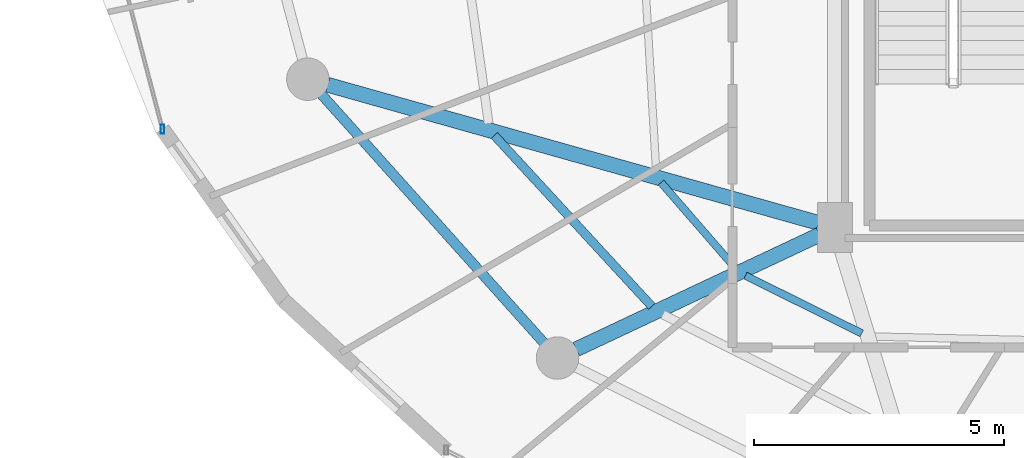
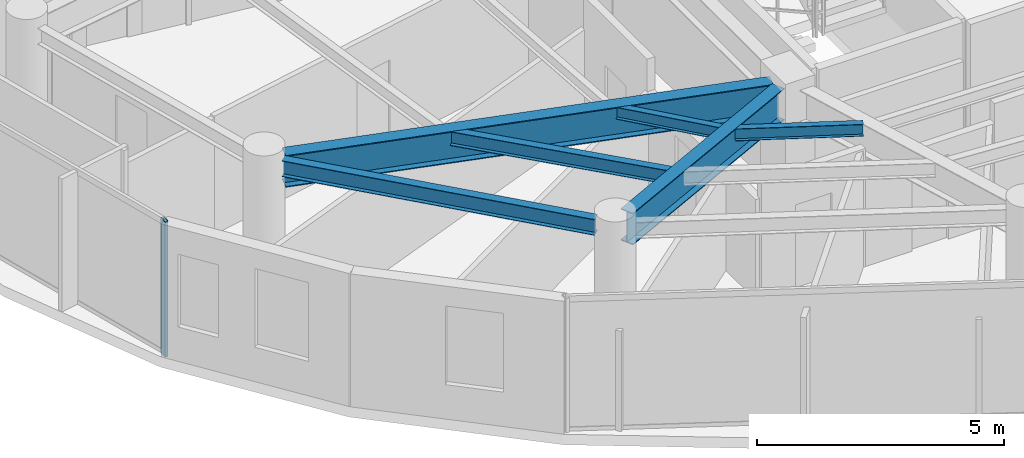
# One storey, part 3 of 30: 6 beams, 1 member, 1 element without a shape of its own.
"""IFC4 building model written with IfcOpenShell, lengths in metres."""

import ifcopenshell
import ifcopenshell.guid

model = None  # the IFC model being written
_history = None  # IfcOwnerHistory: only IFC2X3 demands one
_inside = {}  # id of a spatial element -> (the spatial element, [elements in it])
_under = {}  # id of a project, library or spatial element -> (it, [spatial elements below it])
_declared = {}  # id of a project -> (the project, [libraries it declares])
_typed = {}  # id of a type object -> (the type object, [elements of that type])
_made_of = {}  # id of a material, layer set ... -> (it, [elements and type objects made of it])


def new_model(schema):
    """Start an empty IFC model of exactly this schema.

    Asked for "IFC4X3", IfcOpenShell would pick the latest addendum, in which some entities
    have other attributes; the version numbers below select the first issue.
    IFC2X3 requires an IfcOwnerHistory on every rooted entity: one is made here for all.
    """
    global model, _history
    if schema == "IFC4X3":
        model = ifcopenshell.file(schema_version=(4, 3, 0, 0))
    else:
        model = ifcopenshell.file(schema=schema)
    _inside.clear()
    _under.clear()
    _declared.clear()
    _typed.clear()
    _made_of.clear()
    _history = None
    if model.schema == "IFC2X3":
        org = make("IfcOrganization", Name="unknown")
        user = make(
            "IfcPersonAndOrganization",
            ThePerson=make("IfcPerson", FamilyName="unknown"),
            TheOrganization=org,
        )
        app = make(
            "IfcApplication",
            ApplicationDeveloper=org,
            Version="unknown",
            ApplicationFullName="unknown",
            ApplicationIdentifier="unknown",
        )
        _history = make(
            "IfcOwnerHistory",
            OwningUser=user,
            OwningApplication=app,
            ChangeAction="ADDED",
            CreationDate=0,
        )
    return model


def make(cls, **values):
    """One entity of the class cls with the attributes given. An attribute that is None is left unset."""
    return model.create_entity(
        cls, **{name: value for name, value in values.items() if value is not None}
    )


def rooted(cls, **values):
    """An entity with a GlobalId (a new one), such as an element, a storey or a relation."""
    return make(cls, GlobalId=ifcopenshell.guid.new(), OwnerHistory=_history, **values)


def si_unit(unit_type, name, prefix=None):
    """IfcSIUnit, for example si_unit("LENGTHUNIT", "METRE", prefix="MILLI")."""
    return make("IfcSIUnit", UnitType=unit_type, Prefix=prefix, Name=name)


def assignment(units):
    """IfcUnitAssignment: the units of a project."""
    return None if units is None else make("IfcUnitAssignment", Units=units)


def point(xyz):
    """IfcCartesianPoint."""
    return None if xyz is None else make("IfcCartesianPoint", Coordinates=xyz)


def direction(xyz):
    """IfcDirection."""
    return None if xyz is None else make("IfcDirection", DirectionRatios=xyz)


def frame(location, z_axis=None, x_axis=None):
    """IfcAxis2Placement3D, a coordinate frame: its origin and axes. An axis left out is left unset."""
    return make(
        "IfcAxis2Placement3D",
        Location=point(location),
        Axis=direction(z_axis),
        RefDirection=direction(x_axis),
    )


def frame_2d(location, x_axis=None):
    """IfcAxis2Placement2D, a coordinate frame in the plane: its origin and x axis."""
    return make(
        "IfcAxis2Placement2D", Location=point(location), RefDirection=direction(x_axis)
    )


def origin():
    """The frame at (0, 0, 0) with its axes left unset."""
    return frame((0.0, 0.0, 0.0))


def origin_2d():
    """The frame at (0, 0) in the plane with its x axis left unset."""
    return frame_2d((0.0, 0.0))


def place(relative_to, where):
    """IfcLocalPlacement: puts the frame where relative to a parent placement (None: the world)."""
    return make(
        "IfcLocalPlacement", PlacementRelTo=relative_to, RelativePlacement=where
    )


def context(
    kind, dimensions, precision=None, world=None, true_north=None, identifier=None
):
    """IfcGeometricRepresentationContext, for example the 3D "Model" context."""
    return make(
        "IfcGeometricRepresentationContext",
        ContextIdentifier=identifier,
        ContextType=kind,
        CoordinateSpaceDimension=dimensions,
        Precision=precision,
        WorldCoordinateSystem=world,
        TrueNorth=true_north,
    )


def subcontext(parent, identifier, kind, view, scale=None):
    """IfcGeometricRepresentationSubContext, for example "Body" below "Model"."""
    return make(
        "IfcGeometricRepresentationSubContext",
        ContextIdentifier=identifier,
        ContextType=kind,
        ParentContext=parent,
        TargetScale=scale,
        TargetView=view,
    )


def project(units=None, contexts=None):
    """IfcProject with its units and contexts."""
    return rooted(
        "IfcProject",
        Name="project",
        RepresentationContexts=contexts,
        UnitsInContext=assignment(units),
    )


def spatial(cls, under=None, at=None, **own):
    """A site, building, storey or space (cls), placed at a placement, below another one or the project."""
    s = rooted(cls, ObjectPlacement=at, **own)
    if under is not None:
        _under.setdefault(under.id(), (under, []))[1].append(s)
    return s


def profile(cls, at=None, kind="AREA", **sizes):
    """A parametric profile (cls). Its sizes go by their IFC names, for example OverallWidth=200.0."""
    return make(cls, ProfileType=kind, Position=at, **sizes)


def hollow_rectangle(**sizes):
    """IfcRectangleHollowProfileDef."""
    return profile("IfcRectangleHollowProfileDef", **sizes)


def i_section(**sizes):
    """IfcIShapeProfileDef."""
    return profile("IfcIShapeProfileDef", **sizes)


def extrude(swept, where, along, depth):
    """IfcExtrudedAreaSolid: the profile swept, set in the frame where, extruded along a direction by depth."""
    return make(
        "IfcExtrudedAreaSolid",
        SweptArea=swept,
        Position=where,
        ExtrudedDirection=direction(along),
        Depth=depth,
    )


def shape(context_of_items, identifier, shape_type, items):
    """IfcShapeRepresentation: the items that make up one representation, for example the "Body"."""
    return make(
        "IfcShapeRepresentation",
        ContextOfItems=context_of_items,
        RepresentationIdentifier=identifier,
        RepresentationType=shape_type,
        Items=items,
    )


def material(Name=None, Category=None):
    """IfcMaterial."""
    return make("IfcMaterial", Name=Name, Category=Category)


def material_profile(
    of_material, cross_section, Name=None, Category=None, Priority=None
):
    """IfcMaterialProfile: a cross section and its material."""
    return make(
        "IfcMaterialProfile",
        Name=Name,
        Material=of_material,
        Profile=cross_section,
        Priority=Priority,
        Category=Category,
    )


def profile_set(profiles, Name=None, composite=None):
    """IfcMaterialProfileSet."""
    return make(
        "IfcMaterialProfileSet",
        Name=Name,
        MaterialProfiles=profiles,
        CompositeProfile=composite,
    )


def made_of(thing, what):
    """Note that an element or type object is made of a material, layer set ...; save() writes the relation."""
    if what is not None:
        _made_of.setdefault(what.id(), (what, []))[1].append(thing)
    return thing


def type_object(cls, material=None, **own):
    """A type object (cls), such as IfcWallType, which elements share."""
    return made_of(rooted(cls, **own), material)


def element(
    cls,
    number,
    at=None,
    inside=None,
    cuts=None,
    type_object=None,
    material=None,
    context=None,
    identifier="Body",
    shape_type=None,
    held_by="IfcProductDefinitionShape",
    body=None,
    shapes=None,
    **own,
):
    """One element of the class cls, such as IfcWall. Its Tag is "e" and its number.

    at: its placement. inside: the storey or other place that contains it. cuts: it is an
    opening in that element (IfcRelVoidsElement). A single representation is given by context,
    identifier, shape_type and body (its items); several are given by shapes. held_by: the class
    of the entity that holds the representations. save() writes the other relations.
    """
    e = rooted(cls, Tag="e%d" % number, ObjectPlacement=at, **own)
    if body is not None:
        shapes = [shape(context, identifier, shape_type, body)]
    if shapes is not None:
        e.Representation = make(held_by, Representations=shapes)
    if inside is not None:
        _inside.setdefault(inside.id(), (inside, []))[1].append(e)
    if cuts is not None:
        rooted(
            "IfcRelVoidsElement", RelatingBuildingElement=cuts, RelatedOpeningElement=e
        )
    if type_object is not None:
        _typed.setdefault(type_object.id(), (type_object, []))[1].append(e)
    return made_of(e, material)


def aggregate(whole, parts):
    """IfcRelAggregates: a whole, such as a stair, and the parts it consists of."""
    return rooted("IfcRelAggregates", RelatingObject=whole, RelatedObjects=parts)


def save(model, path):
    """Write the relations noted so far, then the file.

    IfcRelAggregates (storeys below a building ...), IfcRelContainedInSpatialStructure (elements
    in a storey), IfcRelDefinesByType, IfcRelAssociatesMaterial and IfcRelDeclares: one each for
    every whole, place, type object, material and project.
    """
    for whole, parts in _under.values():
        aggregate(whole, parts)
    for where, things in _inside.values():
        rooted(
            "IfcRelContainedInSpatialStructure",
            RelatedElements=things,
            RelatingStructure=where,
        )
    for kind, things in _typed.values():
        rooted("IfcRelDefinesByType", RelatedObjects=things, RelatingType=kind)
    for what, things in _made_of.values():
        rooted("IfcRelAssociatesMaterial", RelatedObjects=things, RelatingMaterial=what)
    for by, libraries in _declared.values():
        rooted("IfcRelDeclares", RelatingContext=by, RelatedDefinitions=libraries)
    model.write(path)


model = new_model("IFC4")

# Units and contexts
model_context = context("Model", 3, precision=1e-05, world=origin(), true_north=direction((0.0, 1.0)))
body_context = subcontext(model_context, "Body", "Model", "MODEL_VIEW")
ifc_project = project(units=[si_unit("LENGTHUNIT", "METRE"), si_unit("AREAUNIT", "SQUARE_METRE"), si_unit("VOLUMEUNIT", "CUBIC_METRE"), si_unit("PLANEANGLEUNIT", "RADIAN"), si_unit("MASSUNIT", "GRAM", prefix="KILO")], contexts=[model_context])

# Site, building, storey
site_placement = place(None, origin())
site = spatial("IfcSite", under=ifc_project, at=site_placement, CompositionType="ELEMENT")
building_placement = place(site_placement, origin())
building = spatial("IfcBuilding", under=site, at=building_placement, Name="Vorneva Point Tower", CompositionType="ELEMENT")
storey_placement = place(building_placement, frame((0.0, 0.0, 241.35009765625)))
storey = spatial("IfcBuildingStorey", under=building, at=storey_placement, Name="L65", CompositionType="ELEMENT", Elevation=241.35009765625)

# Beams
ifc_material_1 = material(Name="Steel S355", Category="steel")
ifc_material_profile_1 = material_profile(ifc_material_1, i_section(OverallWidth=0.300048828125, OverallDepth=0.7880859375, WebThickness=0.014404296875, FlangeThickness=0.02197265625, at=origin_2d()), Name="80Sh1")
ifc_profile_set_1 = profile_set([ifc_material_profile_1], Name="Steel S355")
beam_type_1 = type_object("IfcBeamType", Name="BM-GRD-80Sh1", PredefinedType="USERDEFINED", material=ifc_profile_set_1)
beam_1_placement = place(storey_placement, frame((17.102294921875, 19.305908203125, 2.89599609375), z_axis=(0.962601026021, -0.270922986664, 0.0), x_axis=(0.270922986664, 0.962601026021, 0.0)))
element("IfcBeam", 1, at=beam_1_placement, inside=storey, type_object=beam_type_1, Name="L65 Radial Primary Girder 10", ObjectType="GIRDER", PredefinedType="USERDEFINED", context=body_context, shape_type="SweptSolid", body=[
    extrude(i_section(OverallWidth=0.300048828125, OverallDepth=0.7880859375, WebThickness=0.014404296875, FlangeThickness=0.02197265625, at=origin_2d()), origin(), (0.0, 0.0, 1.0), 10.201904296875),
])
beam_2_placement = place(storey_placement, frame((22.074951171875, 14.013671875, 2.89599609375), z_axis=(0.904750812805, 0.425941271455, 0.0), x_axis=(-0.425941271455, 0.904750812805, 0.0)))
element("IfcBeam", 2, at=beam_2_placement, inside=storey, type_object=beam_type_1, Name="L65 Radial Primary Girder 11", ObjectType="GIRDER", PredefinedType="USERDEFINED", context=body_context, shape_type="SweptSolid", body=[
    extrude(i_section(OverallWidth=0.300048828125, OverallDepth=0.7880859375, WebThickness=0.014404296875, FlangeThickness=0.02197265625, at=origin_2d()), origin(), (0.0, 0.0, 1.0), 5.3798828125),
])
ifc_material_profile_2 = material_profile(ifc_material_1, i_section(OverallWidth=0.14892578125, OverallDepth=0.298095703125, WebThickness=0.005615234375, FlangeThickness=0.008056640625, at=origin_2d()), Name="30B1")
ifc_profile_set_2 = profile_set([ifc_material_profile_2], Name="Steel S355")
beam_type_2 = type_object("IfcBeamType", Name="BM-JST-30B1", PredefinedType="JOIST", material=ifc_profile_set_2)
beam_3_placement = place(storey_placement, frame((23.7724609375, 17.35009765625, 3.140869140625), z_axis=(0.655592112654, -0.755115210962, 0.0), x_axis=(0.755115210962, 0.655592112654, 0.0)))
element("IfcBeam", 3, at=beam_3_placement, inside=storey, type_object=beam_type_2, Name="L65 Secondary Floor Beam 2.10", PredefinedType="JOIST", context=body_context, shape_type="SweptSolid", body=[
    extrude(i_section(OverallWidth=0.14892578125, OverallDepth=0.298095703125, WebThickness=0.005615234375, FlangeThickness=0.008056640625, at=origin_2d()), origin(), (0.0, 0.0, 1.0), 2.2470703125),
])
beam_4_placement = place(storey_placement, frame((25.459716796875, 15.48779296875, 3.140869140625), z_axis=(0.895737278739, -0.444583768796, 0.0), x_axis=(0.444583768796, 0.895737278739, 0.0)))
element("IfcBeam", 4, at=beam_4_placement, inside=storey, type_object=beam_type_2, Name="L65 Secondary Floor Beam 2.11", PredefinedType="JOIST", context=body_context, shape_type="SweptSolid", body=[
    extrude(i_section(OverallWidth=0.14892578125, OverallDepth=0.298095703125, WebThickness=0.005615234375, FlangeThickness=0.008056640625, at=origin_2d()), origin(), (0.0, 0.0, 1.0), 2.601318359375),
])
ifc_material_profile_3 = material_profile(ifc_material_1, i_section(OverallWidth=0.174072265625, OverallDepth=0.345947265625, WebThickness=0.006103515625, FlangeThickness=0.009033203125, at=origin_2d()), Name="35B1")
ifc_profile_set_3 = profile_set([ifc_material_profile_3], Name="Steel S355")
beam_type_3 = type_object("IfcBeamType", Name="BM-SEC-35B1", PredefinedType="BEAM", material=ifc_profile_set_3)
beam_5_placement = place(storey_placement, frame((20.4365234375, 18.292236328125, 3.116943359375), z_axis=(0.677510132228, -0.735513440209, 0.0), x_axis=(0.735513440209, 0.677510132228, 0.0)))
element("IfcBeam", 5, at=beam_5_placement, inside=storey, type_object=beam_type_3, Name="L65 Secondary Floor Beam 1.10", PredefinedType="BEAM", context=body_context, shape_type="SweptSolid", body=[
    extrude(i_section(OverallWidth=0.174072265625, OverallDepth=0.345947265625, WebThickness=0.006103515625, FlangeThickness=0.009033203125, at=origin_2d()), origin(), (0.0, 0.0, 1.0), 4.651123046875),
])
ifc_material_profile_4 = material_profile(ifc_material_1, i_section(OverallWidth=0.198974609375, OverallDepth=0.39599609375, WebThickness=0.007080078125, FlangeThickness=0.010986328125, at=origin_2d()), Name="40B1")
ifc_profile_set_4 = profile_set([ifc_material_profile_4], Name="Steel S355")
beam_type_4 = type_object("IfcBeamType", Name="BM-SPN-40B1", PredefinedType="SPANDREL", material=ifc_profile_set_4)
beam_6_placement = place(storey_placement, frame((16.97802734375, 19.1123046875, 3.091796875), z_axis=(0.667108282638, -0.744960763554, 0.0), x_axis=(0.744960763554, 0.667108282638, 0.0)))
element("IfcBeam", 6, at=beam_6_placement, inside=storey, type_object=beam_type_4, Name="L65 Perimeter Spandrel Ring Beam 10", PredefinedType="SPANDREL", context=body_context, shape_type="SweptSolid", body=[
    extrude(i_section(OverallWidth=0.198974609375, OverallDepth=0.39599609375, WebThickness=0.007080078125, FlangeThickness=0.010986328125, at=origin_2d()), origin(), (0.0, 0.0, 1.0), 6.670166015625),
])

# Curtain wall, member
ifc_material_2 = material(Name="Pale anodised aluminium", Category="aluminium")
curtain_wall_type = type_object("IfcCurtainWallType", Name="CW-RES-SYS", PredefinedType="NOTDEFINED", material=ifc_material_2)
curtain_wall_placement = place(storey_placement, origin())
curtain_wall = element("IfcCurtainWall", 7, at=curtain_wall_placement, inside=storey, type_object=curtain_wall_type, Name="L65 Unitised Curtain Wall CW-L65-R03", PredefinedType="NOTDEFINED")
ifc_material_profile_5 = material_profile(ifc_material_2, hollow_rectangle(XDim=0.074951171875, YDim=0.179931640625, WallThickness=0.00390625, at=origin_2d()), Name="AL-MUL 180x75x4")
ifc_profile_set_5 = profile_set([ifc_material_profile_5], Name="Pale anodised aluminium")
member_type = type_object("IfcMemberType", Name="CW-MUL-180", PredefinedType="MULLION", material=ifc_profile_set_5)
member_placement = place(storey_placement, frame((13.79443359375, 18.4189453125, -0.0400390625), z_axis=(0.0, 0.0, 1.0), x_axis=(1.0, 0.0, 0.0)))
member = element("IfcMember", 8, at=member_placement, type_object=member_type, Name="CW-L65-R03 Mullion 02", PredefinedType="MULLION", context=body_context, shape_type="SweptSolid", body=[
    extrude(hollow_rectangle(XDim=0.074951171875, YDim=0.179931640625, WallThickness=0.00390625, at=origin_2d()), origin(), (0.0, 0.0, 1.0), 3.35986328125),
])
aggregate(curtain_wall, [member])

save(model, "model.ifc")
